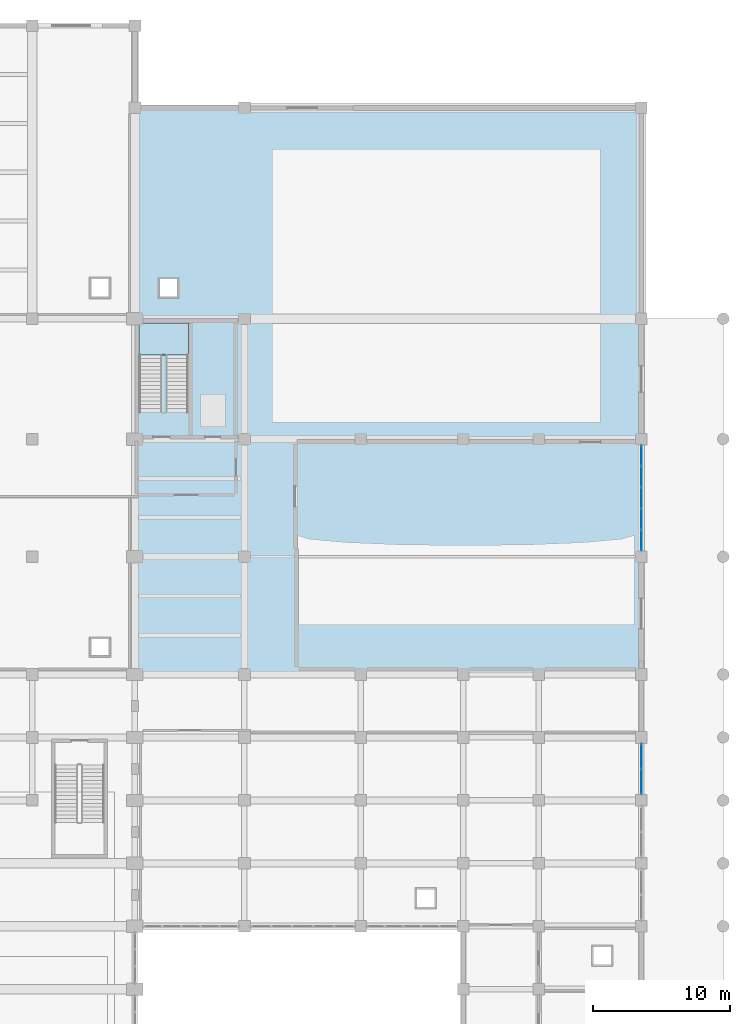
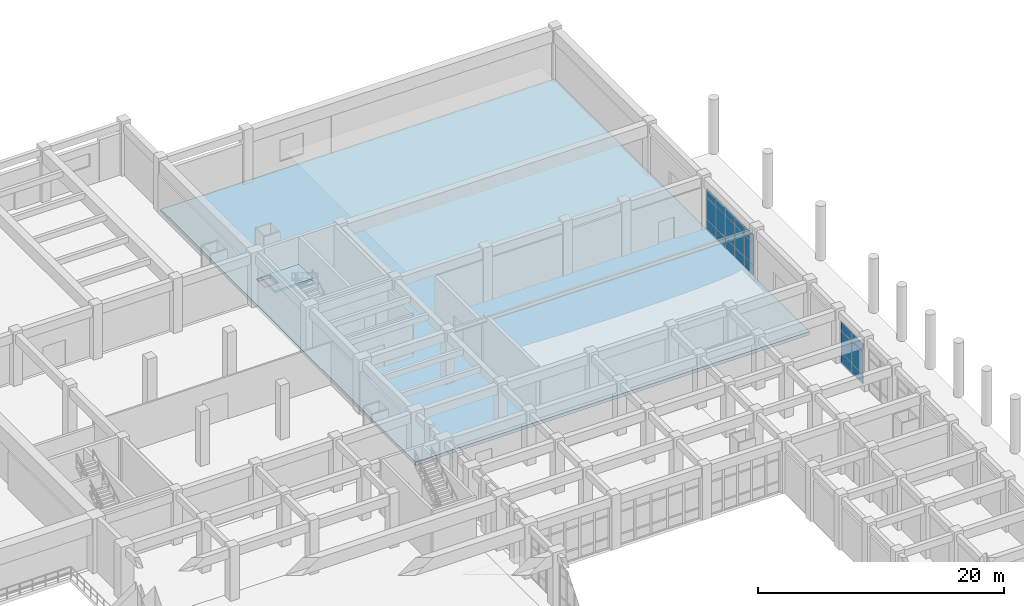
# One storey, part 60 of 84: 21 plates, 2 slabs, 3 elements without a shape of their own.
"""IFC4 building model written with IfcOpenShell, lengths in metres."""

from ifc_helpers import new_model, si_unit, direction, frame, origin, origin_2d, place, context, subcontext, project, spatial, polyline, rectangle, outline, extrude, material, layer, layer_set, type_object, element, aggregate, save


model = new_model("IFC4")

# Units and contexts
model_context = context("Model", 3, precision=1e-05, world=origin(), true_north=direction((0.0, 1.0)))
body_context = subcontext(model_context, "Body", "Model", "MODEL_VIEW")
ifc_project = project(units=[si_unit("LENGTHUNIT", "METRE"), si_unit("AREAUNIT", "SQUARE_METRE"), si_unit("VOLUMEUNIT", "CUBIC_METRE"), si_unit("PLANEANGLEUNIT", "RADIAN"), si_unit("MASSUNIT", "GRAM", prefix="KILO")], contexts=[model_context])

# Site, building, storey
site_placement = place(None, origin())
site = spatial("IfcSite", under=ifc_project, at=site_placement, CompositionType="ELEMENT")
building_placement = place(site_placement, origin())
building = spatial("IfcBuilding", under=site, at=building_placement, Name="Muzn Square Opera House", CompositionType="ELEMENT")
storey_placement = place(building_placement, origin())
storey = spatial("IfcBuildingStorey", under=building, at=storey_placement, Name="L00", CompositionType="ELEMENT", Elevation=0.0)

# Curtain wall, plates
ifc_material_1 = material(Name="Low-E laminated acoustic double glazing", Category="glass")
ifc_layer_1 = layer(ifc_material_1, 0.159912109375, Name="Low-E laminated acoustic double glazing", Category="glass")
ifc_layer_set_1 = layer_set([ifc_layer_1], Name="Low-E laminated acoustic double glazing")
curtain_wall_type_1 = type_object("IfcCurtainWallType", Name="Glazed Curtain Wall EastBlvd 3750x4150", PredefinedType="USERDEFINED", material=ifc_layer_set_1)
curtain_wall_1_placement = place(storey_placement, origin())
curtain_wall_1 = element("IfcCurtainWall", 1, at=curtain_wall_1_placement, inside=storey, type_object=curtain_wall_type_1, Name="Glazed Curtain Wall CW-L00-110", ObjectType="GLAZED CURTAIN WALL", PredefinedType="USERDEFINED")
ifc_layer_2 = layer(ifc_material_1, 0.035888671875, Name="Low-E laminated acoustic double glazing", Category="glass")
ifc_layer_set_2 = layer_set([ifc_layer_2], Name="Low-E laminated acoustic double glazing")
plate_type = type_object("IfcPlateType", Name="Curtain Wall Solar Glazed Panel 36mm", PredefinedType="CURTAIN_PANEL", material=ifc_layer_set_2)
plate_1_placement = place(storey_placement, frame((170.0, 64.780029296875, 0.06982421875), z_axis=(0.0, 0.0, 1.0), x_axis=(0.0, 1.0, 0.0)))
plate_1 = element("IfcPlate", 2, at=plate_1_placement, type_object=plate_type, Name="CW-EBL-37x41 panel 1.1", PredefinedType="CURTAIN_PANEL", context=body_context, shape_type="SweptSolid", body=[
    extrude(rectangle(XDim=1.77001953125, YDim=0.035888671875, at=origin_2d()), origin(), (0.0, 0.0, 1.0), 0.945068359375),
])
plate_2_placement = place(storey_placement, frame((170.0, 64.780029296875, 1.0849609375), z_axis=(0.0, 0.0, 1.0), x_axis=(0.0, 1.0, 0.0)))
plate_2 = element("IfcPlate", 3, at=plate_2_placement, type_object=plate_type, Name="CW-EBL-37x41 panel 1.2", PredefinedType="CURTAIN_PANEL", context=body_context, shape_type="SweptSolid", body=[
    extrude(rectangle(XDim=1.77001953125, YDim=0.035888671875, at=origin_2d()), origin(), (0.0, 0.0, 1.0), 2.1298828125),
])
plate_3_placement = place(storey_placement, frame((170.0, 64.780029296875, 3.28515625), z_axis=(0.0, 0.0, 1.0), x_axis=(0.0, 1.0, 0.0)))
plate_3 = element("IfcPlate", 4, at=plate_3_placement, type_object=plate_type, Name="CW-EBL-37x41 panel 1.3", PredefinedType="CURTAIN_PANEL", context=body_context, shape_type="SweptSolid", body=[
    extrude(rectangle(XDim=1.77001953125, YDim=0.035888671875, at=origin_2d()), origin(), (0.0, 0.0, 1.0), 0.794921875),
])
plate_4_placement = place(storey_placement, frame((170.0, 66.6201171875, 0.06982421875), z_axis=(0.0, 0.0, 1.0), x_axis=(0.0, 1.0, 0.0)))
plate_4 = element("IfcPlate", 5, at=plate_4_placement, type_object=plate_type, Name="CW-EBL-37x41 panel 2.1", PredefinedType="CURTAIN_PANEL", context=body_context, shape_type="SweptSolid", body=[
    extrude(rectangle(XDim=1.77001953125, YDim=0.035888671875, at=origin_2d()), origin(), (0.0, 0.0, 1.0), 0.945068359375),
])
plate_5_placement = place(storey_placement, frame((170.0, 66.6201171875, 1.0849609375), z_axis=(0.0, 0.0, 1.0), x_axis=(0.0, 1.0, 0.0)))
plate_5 = element("IfcPlate", 6, at=plate_5_placement, type_object=plate_type, Name="CW-EBL-37x41 panel 2.2", PredefinedType="CURTAIN_PANEL", context=body_context, shape_type="SweptSolid", body=[
    extrude(rectangle(XDim=1.77001953125, YDim=0.035888671875, at=origin_2d()), origin(), (0.0, 0.0, 1.0), 2.1298828125),
])
plate_6_placement = place(storey_placement, frame((170.0, 66.6201171875, 3.28515625), z_axis=(0.0, 0.0, 1.0), x_axis=(0.0, 1.0, 0.0)))
plate_6 = element("IfcPlate", 7, at=plate_6_placement, type_object=plate_type, Name="CW-EBL-37x41 panel 2.3", PredefinedType="CURTAIN_PANEL", context=body_context, shape_type="SweptSolid", body=[
    extrude(rectangle(XDim=1.77001953125, YDim=0.035888671875, at=origin_2d()), origin(), (0.0, 0.0, 1.0), 0.794921875),
])
aggregate(curtain_wall_1, [plate_1, plate_2, plate_3, plate_4, plate_5, plate_6])

ifc_layer_3 = layer(ifc_material_1, 0.159912109375, Name="Low-E laminated acoustic double glazing", Category="glass")
ifc_layer_set_3 = layer_set([ifc_layer_3], Name="Low-E laminated acoustic double glazing")
curtain_wall_type_2 = type_object("IfcCurtainWallType", Name="Glazed Curtain Wall EastBlvd 7750x4150", PredefinedType="USERDEFINED", material=ifc_layer_set_3)
curtain_wall_2_placement = place(storey_placement, origin())
curtain_wall_2 = element("IfcCurtainWall", 8, at=curtain_wall_2_placement, inside=storey, type_object=curtain_wall_type_2, Name="Glazed Curtain Wall CW-L00-111", ObjectType="GLAZED CURTAIN WALL", PredefinedType="USERDEFINED")
plate_7_placement = place(storey_placement, frame((170.0, 82.41748046875, 0.06982421875), z_axis=(0.0, 0.0, 1.0), x_axis=(0.0, 1.0, 0.0)))
plate_7 = element("IfcPlate", 9, at=plate_7_placement, type_object=plate_type, Name="CW-EBL-77x41 panel 1.1", PredefinedType="CURTAIN_PANEL", context=body_context, shape_type="SweptSolid", body=[
    extrude(rectangle(XDim=1.445068359375, YDim=0.035888671875, at=origin_2d()), origin(), (0.0, 0.0, 1.0), 0.945068359375),
])
plate_8_placement = place(storey_placement, frame((170.0, 82.41748046875, 1.0849609375), z_axis=(0.0, 0.0, 1.0), x_axis=(0.0, 1.0, 0.0)))
plate_8 = element("IfcPlate", 10, at=plate_8_placement, type_object=plate_type, Name="CW-EBL-77x41 panel 1.2", PredefinedType="CURTAIN_PANEL", context=body_context, shape_type="SweptSolid", body=[
    extrude(rectangle(XDim=1.445068359375, YDim=0.035888671875, at=origin_2d()), origin(), (0.0, 0.0, 1.0), 2.1298828125),
])
plate_9_placement = place(storey_placement, frame((170.0, 82.41748046875, 3.28515625), z_axis=(0.0, 0.0, 1.0), x_axis=(0.0, 1.0, 0.0)))
plate_9 = element("IfcPlate", 11, at=plate_9_placement, type_object=plate_type, Name="CW-EBL-77x41 panel 1.3", PredefinedType="CURTAIN_PANEL", context=body_context, shape_type="SweptSolid", body=[
    extrude(rectangle(XDim=1.445068359375, YDim=0.035888671875, at=origin_2d()), origin(), (0.0, 0.0, 1.0), 0.794921875),
])
plate_10_placement = place(storey_placement, frame((170.0, 83.949951171875, 0.06982421875), z_axis=(0.0, 0.0, 1.0), x_axis=(0.0, 1.0, 0.0)))
plate_10 = element("IfcPlate", 12, at=plate_10_placement, type_object=plate_type, Name="CW-EBL-77x41 panel 2.1", PredefinedType="CURTAIN_PANEL", context=body_context, shape_type="SweptSolid", body=[
    extrude(rectangle(XDim=1.47998046875, YDim=0.035888671875, at=origin_2d()), origin(), (0.0, 0.0, 1.0), 0.945068359375),
])
plate_11_placement = place(storey_placement, frame((170.0, 83.949951171875, 1.0849609375), z_axis=(0.0, 0.0, 1.0), x_axis=(0.0, 1.0, 0.0)))
plate_11 = element("IfcPlate", 13, at=plate_11_placement, type_object=plate_type, Name="CW-EBL-77x41 panel 2.2", PredefinedType="CURTAIN_PANEL", context=body_context, shape_type="SweptSolid", body=[
    extrude(rectangle(XDim=1.47998046875, YDim=0.035888671875, at=origin_2d()), origin(), (0.0, 0.0, 1.0), 2.1298828125),
])
plate_12_placement = place(storey_placement, frame((170.0, 83.949951171875, 3.28515625), z_axis=(0.0, 0.0, 1.0), x_axis=(0.0, 1.0, 0.0)))
plate_12 = element("IfcPlate", 14, at=plate_12_placement, type_object=plate_type, Name="CW-EBL-77x41 panel 2.3", PredefinedType="CURTAIN_PANEL", context=body_context, shape_type="SweptSolid", body=[
    extrude(rectangle(XDim=1.47998046875, YDim=0.035888671875, at=origin_2d()), origin(), (0.0, 0.0, 1.0), 0.794921875),
])
plate_13_placement = place(storey_placement, frame((170.0, 85.5, 0.06982421875), z_axis=(0.0, 0.0, 1.0), x_axis=(0.0, 1.0, 0.0)))
plate_13 = element("IfcPlate", 15, at=plate_13_placement, type_object=plate_type, Name="CW-EBL-77x41 panel 3.1", PredefinedType="CURTAIN_PANEL", context=body_context, shape_type="SweptSolid", body=[
    extrude(rectangle(XDim=1.47998046875, YDim=0.035888671875, at=origin_2d()), origin(), (0.0, 0.0, 1.0), 0.945068359375),
])
plate_14_placement = place(storey_placement, frame((170.0, 85.5, 1.0849609375), z_axis=(0.0, 0.0, 1.0), x_axis=(0.0, 1.0, 0.0)))
plate_14 = element("IfcPlate", 16, at=plate_14_placement, type_object=plate_type, Name="CW-EBL-77x41 panel 3.2", PredefinedType="CURTAIN_PANEL", context=body_context, shape_type="SweptSolid", body=[
    extrude(rectangle(XDim=1.47998046875, YDim=0.035888671875, at=origin_2d()), origin(), (0.0, 0.0, 1.0), 2.1298828125),
])
plate_15_placement = place(storey_placement, frame((170.0, 85.5, 3.28515625), z_axis=(0.0, 0.0, 1.0), x_axis=(0.0, 1.0, 0.0)))
plate_15 = element("IfcPlate", 17, at=plate_15_placement, type_object=plate_type, Name="CW-EBL-77x41 panel 3.3", PredefinedType="CURTAIN_PANEL", context=body_context, shape_type="SweptSolid", body=[
    extrude(rectangle(XDim=1.47998046875, YDim=0.035888671875, at=origin_2d()), origin(), (0.0, 0.0, 1.0), 0.794921875),
])
plate_16_placement = place(storey_placement, frame((170.0, 87.050048828125, 0.06982421875), z_axis=(0.0, 0.0, 1.0), x_axis=(0.0, 1.0, 0.0)))
plate_16 = element("IfcPlate", 18, at=plate_16_placement, type_object=plate_type, Name="CW-EBL-77x41 panel 4.1", PredefinedType="CURTAIN_PANEL", context=body_context, shape_type="SweptSolid", body=[
    extrude(rectangle(XDim=1.47998046875, YDim=0.035888671875, at=origin_2d()), origin(), (0.0, 0.0, 1.0), 0.945068359375),
])
plate_17_placement = place(storey_placement, frame((170.0, 87.050048828125, 1.0849609375), z_axis=(0.0, 0.0, 1.0), x_axis=(0.0, 1.0, 0.0)))
plate_17 = element("IfcPlate", 19, at=plate_17_placement, type_object=plate_type, Name="CW-EBL-77x41 panel 4.2", PredefinedType="CURTAIN_PANEL", context=body_context, shape_type="SweptSolid", body=[
    extrude(rectangle(XDim=1.47998046875, YDim=0.035888671875, at=origin_2d()), origin(), (0.0, 0.0, 1.0), 2.1298828125),
])
plate_18_placement = place(storey_placement, frame((170.0, 87.050048828125, 3.28515625), z_axis=(0.0, 0.0, 1.0), x_axis=(0.0, 1.0, 0.0)))
plate_18 = element("IfcPlate", 20, at=plate_18_placement, type_object=plate_type, Name="CW-EBL-77x41 panel 4.3", PredefinedType="CURTAIN_PANEL", context=body_context, shape_type="SweptSolid", body=[
    extrude(rectangle(XDim=1.47998046875, YDim=0.035888671875, at=origin_2d()), origin(), (0.0, 0.0, 1.0), 0.794921875),
])
plate_19_placement = place(storey_placement, frame((170.0, 88.58251953125, 0.06982421875), z_axis=(0.0, 0.0, 1.0), x_axis=(0.0, 1.0, 0.0)))
plate_19 = element("IfcPlate", 21, at=plate_19_placement, type_object=plate_type, Name="CW-EBL-77x41 panel 5.1", PredefinedType="CURTAIN_PANEL", context=body_context, shape_type="SweptSolid", body=[
    extrude(rectangle(XDim=1.445068359375, YDim=0.035888671875, at=origin_2d()), origin(), (0.0, 0.0, 1.0), 0.945068359375),
])
plate_20_placement = place(storey_placement, frame((170.0, 88.58251953125, 1.0849609375), z_axis=(0.0, 0.0, 1.0), x_axis=(0.0, 1.0, 0.0)))
plate_20 = element("IfcPlate", 22, at=plate_20_placement, type_object=plate_type, Name="CW-EBL-77x41 panel 5.2", PredefinedType="CURTAIN_PANEL", context=body_context, shape_type="SweptSolid", body=[
    extrude(rectangle(XDim=1.445068359375, YDim=0.035888671875, at=origin_2d()), origin(), (0.0, 0.0, 1.0), 2.1298828125),
])
plate_21_placement = place(storey_placement, frame((170.0, 88.58251953125, 3.28515625), z_axis=(0.0, 0.0, 1.0), x_axis=(0.0, 1.0, 0.0)))
plate_21 = element("IfcPlate", 23, at=plate_21_placement, type_object=plate_type, Name="CW-EBL-77x41 panel 5.3", PredefinedType="CURTAIN_PANEL", context=body_context, shape_type="SweptSolid", body=[
    extrude(rectangle(XDim=1.445068359375, YDim=0.035888671875, at=origin_2d()), origin(), (0.0, 0.0, 1.0), 0.794921875),
])
aggregate(curtain_wall_2, [plate_7, plate_8, plate_9, plate_10, plate_11, plate_12, plate_13, plate_14, plate_15, plate_16, plate_17, plate_18, plate_19, plate_20, plate_21])

# Slab
ifc_material_2 = material(Name="Concrete C40/50", Category="concrete")
ifc_layer_4 = layer(ifc_material_2, 0.320068359375, Name="Concrete C40/50", Category="concrete")
ifc_layer_set_4 = layer_set([ifc_layer_4], Name="Concrete C40/50")
slab_type_1 = type_object("IfcSlabType", Name="Floor Slab 320mm", PredefinedType="FLOOR", material=ifc_layer_set_4)
slab_1_placement = place(storey_placement, frame((0.0, 0.0, -0.320068359375)))
element("IfcSlab", 24, at=slab_1_placement, inside=storey, type_object=slab_type_1, Name="Floor Slab SLB-L00-REHPAV", PredefinedType="FLOOR", context=body_context, shape_type="SweptSolid", body=[
    extrude(outline(polyline([(133.0, 72.60009765625), (170.0, 72.60009765625), (170.0, 114.0), (133.0, 114.0), (133.0, 72.60009765625)]), holes=[polyline([(134.800048828125, 100.199951171875), (136.10009765625, 100.199951171875), (136.10009765625, 101.5), (134.800048828125, 101.5), (134.800048828125, 100.199951171875)])]), origin(), (0.0, 0.0, 1.0), 0.320068359375),
])

# Stair, slab
stair_type = type_object("IfcStairType", Name="Core Escape Dogleg Stair", PredefinedType="HALF_TURN_STAIR", material=ifc_material_2)
stair_placement = place(storey_placement, origin())
stair = element("IfcStair", 25, at=stair_placement, inside=storey, type_object=stair_type, Name="L00 Escape Stair ST-5", PredefinedType="HALF_TURN_STAIR")
ifc_layer_5 = layer(ifc_material_2, 0.199951171875, Name="Concrete C40/50", Category="concrete")
ifc_layer_set_5 = layer_set([ifc_layer_5], Name="Concrete C40/50")
slab_type_2 = type_object("IfcSlabType", Name="Stair Half Landing 200mm", PredefinedType="LANDING", material=ifc_layer_set_5)
slab_2_placement = place(storey_placement, frame((0.0, 0.0, 2.5)))
slab_2 = element("IfcSlab", 26, at=slab_2_placement, type_object=slab_type_2, Name="ST-5 landing 1", PredefinedType="LANDING", context=body_context, shape_type="SweptSolid", body=[
    extrude(outline(polyline([(136.89990234375, 95.9599609375), (136.89990234375, 98.300048828125), (133.300048828125, 98.300048828125), (133.300048828125, 95.9599609375), (136.89990234375, 95.9599609375)])), origin(), (0.0, 0.0, 1.0), 0.199951171875),
])
aggregate(stair, [slab_2])

save(model, "model.ifc")
